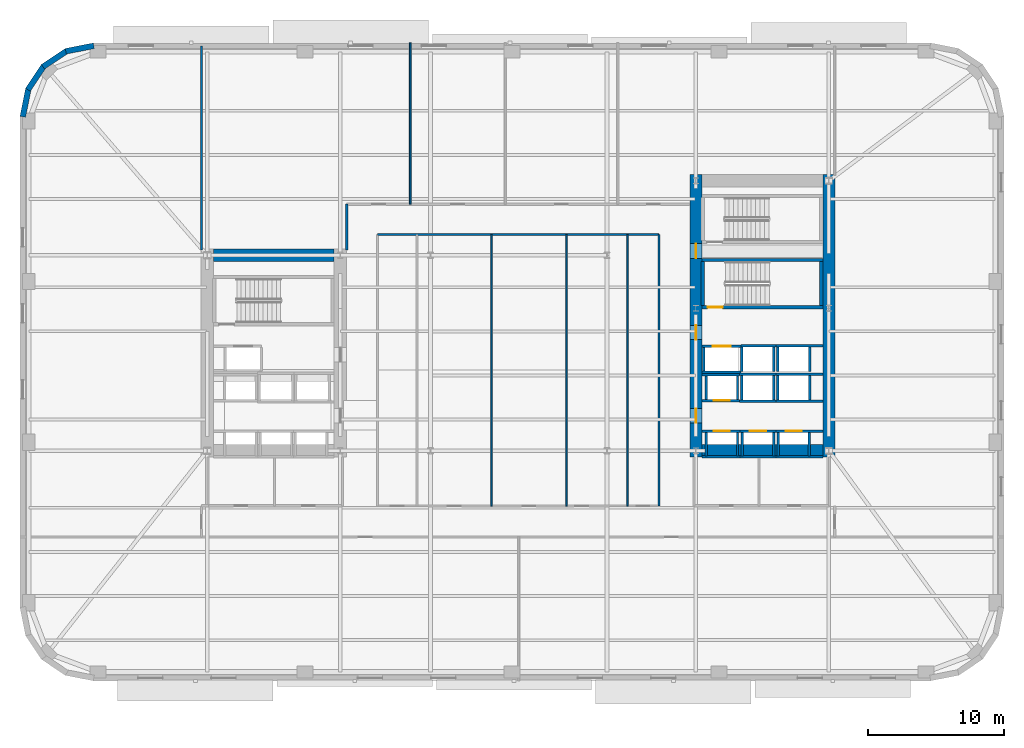
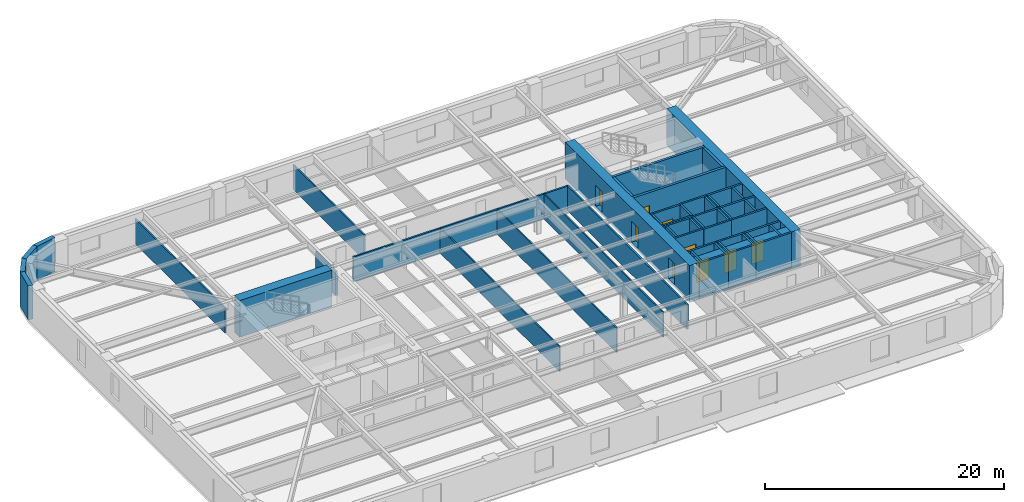
# One storey, part 6 of 14: 53 walls, 9 doors, 9 openings.
"""IFC4 building model written with IfcOpenShell, lengths in metres."""

from ifc_helpers import new_model, si_unit, direction, frame, frame_2d, origin, place, context, subcontext, project, spatial, rectangle, extrude, material, layer, layer_set, type_object, element, fill, save


model = new_model("IFC4")

# Units and contexts
model_context = context("Model", 3, precision=1e-05, world=origin(), true_north=direction((0.0, 1.0)))
body_context = subcontext(model_context, "Body", "Model", "MODEL_VIEW")
ifc_project = project(units=[si_unit("LENGTHUNIT", "METRE"), si_unit("AREAUNIT", "SQUARE_METRE"), si_unit("VOLUMEUNIT", "CUBIC_METRE"), si_unit("PLANEANGLEUNIT", "RADIAN"), si_unit("MASSUNIT", "GRAM", prefix="KILO")], contexts=[model_context])

# Site, building, storey
site_placement = place(None, origin())
site = spatial("IfcSite", under=ifc_project, at=site_placement, CompositionType="ELEMENT")
building_placement = place(site_placement, origin())
building = spatial("IfcBuilding", under=site, at=building_placement, Name="Kolvaren Arena Tower", CompositionType="ELEMENT")
storey_placement = place(building_placement, frame((0.0, 0.0, 75.75)))
storey = spatial("IfcBuildingStorey", under=building, at=storey_placement, Name="L16", CompositionType="ELEMENT", Elevation=75.75)

# Walls
ifc_material_1 = material(Name="Gypsum board acoustic assembly", Category="gypsum")
ifc_layer_1 = layer(ifc_material_1, 0.159912109375)
ifc_layer_set_1 = layer_set([ifc_layer_1], Name="Gypsum board acoustic assembly")
wall_type_1 = type_object("IfcWallType", Name="CORR-160", PredefinedType="PARTITIONING", material=ifc_layer_set_1)
wall_1_placement = place(storey_placement, frame((24.820068359375, 34.25, 0.0), z_axis=(0.0, 0.0, 1.0), x_axis=(0.0, 1.0, 0.0)))
element("IfcWall", 1, at=wall_1_placement, inside=storey, type_object=wall_type_1, Name="Interior Partition Wall (L16)", PredefinedType="PARTITIONING", context=body_context, shape_type="SweptSolid", body=[
    extrude(rectangle(XDim=3.3701171875, YDim=0.159912109375, at=frame_2d((1.68505859375, 0.0))), origin(), (0.0, 0.0, 1.0), 2.5400390625),
])
wall_2_placement = place(storey_placement, frame((27.080078125, 35.3798828125, 0.0), z_axis=(0.0, 0.0, 1.0), x_axis=(1.0, 0.0, 0.0)))
element("IfcWall", 2, at=wall_2_placement, inside=storey, type_object=wall_type_1, Name="Interior Partition Wall (L16)", PredefinedType="PARTITIONING", context=body_context, shape_type="SweptSolid", body=[
    extrude(rectangle(XDim=20.739990234375, YDim=0.159912109375, at=frame_2d((10.3701171875, 0.0))), origin(), (0.0, 0.0, 1.0), 2.5400390625),
])
wall_3_placement = place(storey_placement, frame((47.820068359375, 15.3798828125, 0.0), z_axis=(0.0, 0.0, 1.0), x_axis=(0.0, 1.0, 0.0)))
element("IfcWall", 3, at=wall_3_placement, inside=storey, type_object=wall_type_1, Name="Interior Partition Wall (L16)", PredefinedType="PARTITIONING", context=body_context, shape_type="SweptSolid", body=[
    extrude(rectangle(XDim=20.0, YDim=0.159912109375, at=frame_2d((10.0, 0.0))), origin(), (0.0, 0.0, 1.0), 2.5400390625),
])
ifc_material_2 = material(Name="Concrete 80 MPa", Category="concrete")
ifc_layer_2 = layer(ifc_material_2, 0.89990234375)
ifc_layer_set_2 = layer_set([ifc_layer_2], Name="Concrete 80 MPa")
wall_type_2 = type_object("IfcWallType", Name="CWALL-900", PredefinedType="SHEAR", material=ifc_layer_set_2)
wall_4_placement = place(storey_placement, frame((15.0, 33.85009765625, -0.27001953125), z_axis=(0.0, 0.0, 1.0), x_axis=(1.0, 0.0, 0.0)))
element("IfcWall", 4, at=wall_4_placement, inside=storey, type_object=wall_type_2, Name="Core Shear Wall WC-NORTH (L16)", PredefinedType="SHEAR", context=body_context, shape_type="SweptSolid", body=[
    extrude(rectangle(XDim=8.89990234375, YDim=0.89990234375, at=frame_2d((4.449951171875, 0.0))), origin(), (0.0, 0.0, 1.0), 3.75),
])

# Wall, openings, doors
wall_5_placement = place(storey_placement, frame((50.550048828125, 19.0, -0.27001953125), z_axis=(0.0, 0.0, 1.0), x_axis=(0.0, 1.0, 0.0)))
wall_5 = element("IfcWall", 5, at=wall_5_placement, inside=storey, type_object=wall_type_2, Name="Core Shear Wall EC-WEST (L16)", PredefinedType="SHEAR", context=body_context, shape_type="SweptSolid", body=[
    extrude(rectangle(XDim=20.800048828125, YDim=0.89990234375, at=frame_2d((10.39990234375, 0.0))), origin(), (0.0, 0.0, 1.0), 3.75),
])
opening_1_placement = place(wall_5_placement, frame((2.5, 0.0, 0.27001953125)))
opening_1 = element("IfcOpeningElement", 6, at=opening_1_placement, cuts=wall_5, Name="Opening D04", PredefinedType="OPENING", context=body_context, shape_type="SweptSolid", body=[
    extrude(rectangle(XDim=1.050048828125, YDim=2.14990234375, at=frame_2d((0.52490234375, 1.074951171875))), frame((0.0, 0.4599609375, 0.0), z_axis=(0.0, -1.0, 0.0), x_axis=(1.0, 0.0, 0.0)), (0.0, 0.0, 1.0), 0.919921875),
])
opening_2_placement = place(wall_5_placement, frame((8.64990234375, 0.0, 0.27001953125)))
opening_2 = element("IfcOpeningElement", 7, at=opening_2_placement, cuts=wall_5, Name="Opening D04", PredefinedType="OPENING", context=body_context, shape_type="SweptSolid", body=[
    extrude(rectangle(XDim=1.050048828125, YDim=2.14990234375, at=frame_2d((0.52490234375, 1.074951171875))), frame((0.0, 0.4599609375, 0.0), z_axis=(0.0, -1.0, 0.0), x_axis=(1.0, 0.0, 0.0)), (0.0, 0.0, 1.0), 0.919921875),
])
opening_3_placement = place(wall_5_placement, frame((14.6201171875, 0.0, 0.27001953125)))
opening_3 = element("IfcOpeningElement", 8, at=opening_3_placement, cuts=wall_5, Name="Opening D03", PredefinedType="OPENING", context=body_context, shape_type="SweptSolid", body=[
    extrude(rectangle(XDim=1.10009765625, YDim=2.14990234375, at=frame_2d((0.550048828125, 1.074951171875))), frame((0.0, 0.4599609375, 0.0), z_axis=(0.0, -1.0, 0.0), x_axis=(1.0, 0.0, 0.0)), (0.0, 0.0, 1.0), 0.919921875),
])
ifc_material_3 = material(Name="Fire-rated steel lobby door", Category="steel")
door_type_1 = type_object("IfcDoorType", Name="DOOR-FF-105", OperationType="NOTDEFINED", PredefinedType="DOOR", material=ifc_material_3)
door_1_placement = place(opening_1_placement, origin())
door_1 = element("IfcDoor", 9, at=door_1_placement, inside=storey, type_object=door_type_1, Name="East Lift Lobby Fire Door (L16)", OperationType="SINGLE_SWING_RIGHT", OverallHeight=2.14990234375, OverallWidth=1.050048828125, PredefinedType="DOOR", context=body_context, shape_type="SweptSolid", body=[
    extrude(rectangle(XDim=1.050048828125, YDim=2.14990234375, at=frame_2d((0.52490234375, 1.074951171875))), frame((0.0, 0.02490234375, 0.0), z_axis=(0.0, -1.0, 0.0), x_axis=(1.0, 0.0, 0.0)), (0.0, 0.0, 1.0), 0.050048828125),
])
fill(opening_1, door_1)
door_2_placement = place(opening_2_placement, origin())
door_2 = element("IfcDoor", 10, at=door_2_placement, inside=storey, type_object=door_type_1, Name="East Firefighter Vestibule Door (L16)", OperationType="SINGLE_SWING_LEFT", OverallHeight=2.14990234375, OverallWidth=1.050048828125, PredefinedType="DOOR", context=body_context, shape_type="SweptSolid", body=[
    extrude(rectangle(XDim=1.050048828125, YDim=2.14990234375, at=frame_2d((0.52490234375, 1.074951171875))), frame((0.0, 0.02490234375, 0.0), z_axis=(0.0, -1.0, 0.0), x_axis=(1.0, 0.0, 0.0)), (0.0, 0.0, 1.0), 0.050048828125),
])
fill(opening_2, door_2)
ifc_material_4 = material(Name="Fire-rated steel exit stair door", Category="steel")
door_type_2 = type_object("IfcDoorType", Name="DOOR-ST-110", OperationType="NOTDEFINED", PredefinedType="DOOR", material=ifc_material_4)
door_3_placement = place(opening_3_placement, origin())
door_3 = element("IfcDoor", 11, at=door_3_placement, inside=storey, type_object=door_type_2, Name="Stair ST-E2 Vestibule Fire Door (L16)", OperationType="SINGLE_SWING_LEFT", OverallHeight=2.14990234375, OverallWidth=1.10009765625, PredefinedType="DOOR", context=body_context, shape_type="SweptSolid", body=[
    extrude(rectangle(XDim=1.10009765625, YDim=2.14990234375, at=frame_2d((0.550048828125, 1.074951171875))), frame((0.0, 0.02490234375, 0.0), z_axis=(0.0, -1.0, 0.0), x_axis=(1.0, 0.0, 0.0)), (0.0, 0.0, 1.0), 0.050048828125),
])
fill(opening_3, door_3)

# Walls
wall_6_placement = place(storey_placement, frame((60.35009765625, 19.0, -0.27001953125), z_axis=(0.0, 0.0, 1.0), x_axis=(0.0, 1.0, 0.0)))
element("IfcWall", 12, at=wall_6_placement, inside=storey, type_object=wall_type_2, Name="Core Shear Wall EC-EAST (L16)", PredefinedType="SHEAR", context=body_context, shape_type="SweptSolid", body=[
    extrude(rectangle(XDim=20.800048828125, YDim=0.89990234375, at=frame_2d((10.39990234375, 0.0))), origin(), (0.0, 0.0, 1.0), 3.75),
])
wall_7_placement = place(storey_placement, frame((51.0, 19.449951171875, -0.27001953125), z_axis=(0.0, 0.0, 1.0), x_axis=(1.0, 0.0, 0.0)))
element("IfcWall", 13, at=wall_7_placement, inside=storey, type_object=wall_type_2, Name="Core Shear Wall EC-SOUTH (L16)", PredefinedType="SHEAR", context=body_context, shape_type="SweptSolid", body=[
    extrude(rectangle(XDim=8.89990234375, YDim=0.89990234375, at=frame_2d((4.449951171875, 0.0))), origin(), (0.0, 0.0, 1.0), 3.75),
])
ifc_material_5 = material(Name="Precast concrete C50/60", Category="concrete")
ifc_layer_3 = layer(ifc_material_5, 0.419921875)
ifc_layer_set_3 = layer_set([ifc_layer_3], Name="Precast concrete C50/60")
wall_type_3 = type_object("IfcWallType", Name="EXT-PIER1", PredefinedType="SOLIDWALL", material=ifc_layer_set_3)
for number, where, z_axis, x_axis, name in (
    (14, (4.12451171875, 48.8828125, 0.0), (0.0, 0.0, 1.0), (0.9807762837, 0.195135546048, 0.0), "Exterior Precast Masonry-Frame Wall (L16)"),
    (15, (2.4482421875, 47.743896484375, 0.0), (0.0, 0.0, 1.0), (0.831515102434, 0.555502146192, 0.0), "Exterior Precast Masonry-Frame Wall (L16)"),
    (16, (1.335693359375, 46.0498046875, 0.0), (0.0, 0.0, 1.0), (0.555502146192, 0.831515102434, 0.0), "Exterior Precast Masonry-Frame Wall (L16)"),
    (17, (0.9560546875, 44.05908203125, 0.0), (0.0, 0.0, 1.0), (0.195135546048, 0.9807762837, 0.0), "Exterior Precast Masonry-Frame Wall (L16)"),
):
    element("IfcWall", number, at=place(storey_placement, frame(where, z_axis=z_axis, x_axis=x_axis)), inside=storey, type_object=wall_type_3, Name=name, PredefinedType="SOLIDWALL", context=body_context, shape_type="SweptSolid", body=[
        extrude(rectangle(XDim=2.10693359375, YDim=0.419921875, at=frame_2d((1.053466796875, 0.0))), origin(), (0.0, 0.0, 1.0), 3.47998046875),
    ])
ifc_material_6 = material(Name="Gypsum board partition assembly", Category="gypsum")
ifc_layer_4 = layer(ifc_material_6, 0.114990234375)
ifc_layer_set_4 = layer_set([ifc_layer_4], Name="Gypsum board partition assembly")
wall_type_4 = type_object("IfcWallType", Name="PART-115", PredefinedType="PARTITIONING", material=ifc_layer_set_4)
for number, where, z_axis, x_axis, name in (
    (18, (35.5, 15.3798828125, 0.0), (0.0, 0.0, 1.0), (0.0, 1.0, 0.0), "Interior Partition Wall (L16)"),
    (19, (41.0, 15.3798828125, 0.0), (0.0, 0.0, 1.0), (0.0, 1.0, 0.0), "Interior Partition Wall (L16)"),
    (20, (45.5, 15.3798828125, 0.0), (0.0, 0.0, 1.0), (0.0, 1.0, 0.0), "Interior Partition Wall (L16)"),
):
    element("IfcWall", number, at=place(storey_placement, frame(where, z_axis=z_axis, x_axis=x_axis)), inside=storey, type_object=wall_type_4, Name=name, PredefinedType="PARTITIONING", context=body_context, shape_type="SweptSolid", body=[
        extrude(rectangle(XDim=20.0, YDim=0.114990234375, at=frame_2d((10.0, 0.0))), origin(), (0.0, 0.0, 1.0), 2.5400390625),
    ])
ifc_layer_5 = layer(ifc_material_6, 0.135009765625)
ifc_layer_set_5 = layer_set([ifc_layer_5], Name="Gypsum board partition assembly")
wall_type_5 = type_object("IfcWallType", Name="PART-135", PredefinedType="PARTITIONING", material=ifc_layer_set_5)
wall_8_placement = place(storey_placement, frame((29.5, 37.6201171875, 0.0), z_axis=(0.0, 0.0, 1.0), x_axis=(0.0, 1.0, 0.0)))
element("IfcWall", 21, at=wall_8_placement, inside=storey, type_object=wall_type_5, Name="Interior Partition Wall (L16)", PredefinedType="PARTITIONING", context=body_context, shape_type="SweptSolid", body=[
    extrude(rectangle(XDim=11.8798828125, YDim=0.135009765625, at=frame_2d((5.93994140625, 0.0))), origin(), (0.0, 0.0, 1.0), 2.5400390625),
])
wall_9_placement = place(storey_placement, frame((14.1201171875, 34.25, 0.0), z_axis=(0.0, 0.0, 1.0), x_axis=(0.0, 1.0, 0.0)))
element("IfcWall", 22, at=wall_9_placement, inside=storey, type_object=wall_type_5, Name="Interior Partition Wall (L16)", PredefinedType="PARTITIONING", context=body_context, shape_type="SweptSolid", body=[
    extrude(rectangle(XDim=15.010009765625, YDim=0.135009765625, at=frame_2d((7.5048828125, 0.0))), origin(), (0.0, 0.0, 1.0), 2.5400390625),
])

# Wall, opening, door
ifc_material_7 = material(Name="Concrete 45 MPa", Category="concrete")
ifc_layer_6 = layer(ifc_material_7, 0.25)
ifc_layer_set_6 = layer_set([ifc_layer_6], Name="Concrete 45 MPa")
wall_type_6 = type_object("IfcWallType", Name="SHAFT-250", PredefinedType="SOLIDWALL", material=ifc_layer_set_6)
wall_10_placement = place(storey_placement, frame((59.89990234375, 30.030029296875, 0.0), z_axis=(0.0, 0.0, 1.0), x_axis=(-1.0, 0.0, 0.0)))
wall_10 = element("IfcWall", 23, at=wall_10_placement, inside=storey, type_object=wall_type_6, Name="Core Shaft Wall (L16)", PredefinedType="SOLIDWALL", context=body_context, shape_type="SweptSolid", body=[
    extrude(rectangle(XDim=8.89990234375, YDim=0.239990234375, at=frame_2d((4.449951171875, 0.0))), origin(), (0.0, 0.0, 1.0), 3.47998046875),
])
opening_4_placement = place(wall_10_placement, frame((7.3798828125, 0.0, 0.0)))
opening_4 = element("IfcOpeningElement", 24, at=opening_4_placement, cuts=wall_10, Name="Opening D03", PredefinedType="OPENING", context=body_context, shape_type="SweptSolid", body=[
    extrude(rectangle(XDim=1.10009765625, YDim=2.14990234375, at=frame_2d((0.550048828125, 1.074951171875))), frame((0.0, 0.1298828125, 0.0), z_axis=(0.0, -1.0, 0.0), x_axis=(1.0, 0.0, 0.0)), (0.0, 0.0, 1.0), 0.260009765625),
])
door_4_placement = place(opening_4_placement, origin())
door_4 = element("IfcDoor", 25, at=door_4_placement, inside=storey, type_object=door_type_2, Name="Stair ST-E1 Fire Door (L16)", OperationType="SINGLE_SWING_LEFT", OverallHeight=2.14990234375, OverallWidth=1.10009765625, PredefinedType="DOOR", context=body_context, shape_type="SweptSolid", body=[
    extrude(rectangle(XDim=1.10009765625, YDim=2.14990234375, at=frame_2d((0.550048828125, 1.074951171875))), frame((0.0, 0.02490234375, 0.0), z_axis=(0.0, -1.0, 0.0), x_axis=(1.0, 0.0, 0.0)), (0.0, 0.0, 1.0), 0.050048828125),
])
fill(opening_4, door_4)

# Walls
wall_11_placement = place(storey_placement, frame((51.0, 33.5, 0.0), z_axis=(0.0, 0.0, 1.0), x_axis=(1.0, 0.0, 0.0)))
element("IfcWall", 26, at=wall_11_placement, inside=storey, type_object=wall_type_6, Name="Core Shaft Wall (L16)", PredefinedType="SOLIDWALL", context=body_context, shape_type="SweptSolid", body=[
    extrude(rectangle(XDim=8.89990234375, YDim=0.239990234375, at=frame_2d((4.449951171875, 0.0))), origin(), (0.0, 0.0, 1.0), 3.47998046875),
])
for number, where, z_axis, x_axis, name in (
    (27, (51.06005859375, 30.14990234375, 0.0), (0.0, 0.0, 1.0), (0.0, 1.0, 0.0), "Core Shaft Wall (L16)"),
    (28, (59.780029296875, 30.14990234375, 0.0), (0.0, 0.0, 1.0), (0.0, 1.0, 0.0), "Core Shaft Wall (L16)"),
):
    element("IfcWall", number, at=place(storey_placement, frame(where, z_axis=z_axis, x_axis=x_axis)), inside=storey, type_object=wall_type_6, Name=name, PredefinedType="SOLIDWALL", context=body_context, shape_type="SweptSolid", body=[
        extrude(rectangle(XDim=3.22998046875, YDim=0.239990234375, at=frame_2d((1.614990234375, 0.0))), origin(), (0.0, 0.0, 1.0), 3.47998046875),
    ])

# Wall, opening, door
wall_12_placement = place(storey_placement, frame((51.0, 20.905029296875, 0.0), z_axis=(0.0, 0.0, 1.0), x_axis=(1.0, 0.0, 0.0)))
wall_12 = element("IfcWall", 29, at=wall_12_placement, inside=storey, type_object=wall_type_6, Name="Core Shaft Wall (L16)", PredefinedType="SOLIDWALL", context=body_context, shape_type="SweptSolid", body=[
    extrude(rectangle(XDim=2.7900390625, YDim=0.179931640625, at=frame_2d((1.39501953125, 0.0))), origin(), (0.0, 0.0, 1.0), 3.47998046875),
])
opening_5_placement = place(wall_12_placement, frame((0.860107421875, 0.0, 0.0)))
opening_5 = element("IfcOpeningElement", 30, at=opening_5_placement, cuts=wall_12, Name="Opening LD1", PredefinedType="OPENING", context=body_context, shape_type="SweptSolid", body=[
    extrude(rectangle(XDim=1.199951171875, YDim=2.199951171875, at=frame_2d((0.60009765625, 1.10009765625))), frame((0.0, 0.099853515625, 0.0), z_axis=(0.0, -1.0, 0.0), x_axis=(1.0, 0.0, 0.0)), (0.0, 0.0, 1.0), 0.199951171875),
])
ifc_material_8 = material(Name="Stainless steel passenger lift landing door", Category="steel")
door_type_3 = type_object("IfcDoorType", Name="DOOR-LD-120", OperationType="DOUBLE_DOOR_SLIDING", PredefinedType="DOOR", material=ifc_material_8)
door_5_placement = place(opening_5_placement, origin())
door_5 = element("IfcDoor", 31, at=door_5_placement, inside=storey, type_object=door_type_3, Name="Lift EL-LR1 Landing Door (L16)", OperationType="DOUBLE_DOOR_SLIDING", OverallHeight=2.199951171875, OverallWidth=1.199951171875, PredefinedType="DOOR", context=body_context, shape_type="SweptSolid", body=[
    extrude(rectangle(XDim=1.199951171875, YDim=2.199951171875, at=frame_2d((0.60009765625, 1.10009765625))), frame((0.0, 0.02490234375, 0.0), z_axis=(0.0, -1.0, 0.0), x_axis=(1.0, 0.0, 0.0)), (0.0, 0.0, 1.0), 0.050048828125),
])
fill(opening_5, door_5)

# Walls
wall_13_placement = place(storey_placement, frame((51.0, 18.9951171875, 0.0), z_axis=(0.0, 0.0, 1.0), x_axis=(1.0, 0.0, 0.0)))
element("IfcWall", 32, at=wall_13_placement, inside=storey, type_object=wall_type_6, Name="Core Shaft Wall (L16)", PredefinedType="SOLIDWALL", context=body_context, shape_type="SweptSolid", body=[
    extrude(rectangle(XDim=2.7900390625, YDim=0.179931640625, at=frame_2d((1.39501953125, 0.0))), origin(), (0.0, 0.0, 1.0), 3.47998046875),
])
for number, where, z_axis, x_axis, name in (
    (33, (51.304931640625, 19.0849609375, 0.0), (0.0, 0.0, 1.0), (0.0, 1.0, 0.0), "Core Shaft Wall (L16)"),
    (34, (53.614990234375, 19.0849609375, 0.0), (0.0, 0.0, 1.0), (0.0, 1.0, 0.0), "Core Shaft Wall (L16)"),
):
    element("IfcWall", number, at=place(storey_placement, frame(where, z_axis=z_axis, x_axis=x_axis)), inside=storey, type_object=wall_type_6, Name=name, PredefinedType="SOLIDWALL", context=body_context, shape_type="SweptSolid", body=[
        extrude(rectangle(XDim=1.72998046875, YDim=0.179931640625, at=frame_2d((0.864990234375, 0.0))), origin(), (0.0, 0.0, 1.0), 3.47998046875),
    ])

# Wall, opening, door
wall_14_placement = place(storey_placement, frame((53.7900390625, 20.905029296875, 0.0), z_axis=(0.0, 0.0, 1.0), x_axis=(1.0, 0.0, 0.0)))
wall_14 = element("IfcWall", 35, at=wall_14_placement, inside=storey, type_object=wall_type_6, Name="Core Shaft Wall (L16)", PredefinedType="SOLIDWALL", context=body_context, shape_type="SweptSolid", body=[
    extrude(rectangle(XDim=2.64990234375, YDim=0.179931640625, at=frame_2d((1.324951171875, 0.0))), origin(), (0.0, 0.0, 1.0), 3.47998046875),
])
opening_6_placement = place(wall_14_placement, frame((0.72998046875, 0.0, 0.0)))
opening_6 = element("IfcOpeningElement", 36, at=opening_6_placement, cuts=wall_14, Name="Opening LD1", PredefinedType="OPENING", context=body_context, shape_type="SweptSolid", body=[
    extrude(rectangle(XDim=1.199951171875, YDim=2.199951171875, at=frame_2d((0.60009765625, 1.10009765625))), frame((0.0, 0.099853515625, 0.0), z_axis=(0.0, -1.0, 0.0), x_axis=(1.0, 0.0, 0.0)), (0.0, 0.0, 1.0), 0.199951171875),
])
door_6_placement = place(opening_6_placement, origin())
door_6 = element("IfcDoor", 37, at=door_6_placement, inside=storey, type_object=door_type_3, Name="Lift EL-LR2 Landing Door (L16)", OperationType="DOUBLE_DOOR_SLIDING", OverallHeight=2.199951171875, OverallWidth=1.199951171875, PredefinedType="DOOR", context=body_context, shape_type="SweptSolid", body=[
    extrude(rectangle(XDim=1.199951171875, YDim=2.199951171875, at=frame_2d((0.60009765625, 1.10009765625))), frame((0.0, 0.02490234375, 0.0), z_axis=(0.0, -1.0, 0.0), x_axis=(1.0, 0.0, 0.0)), (0.0, 0.0, 1.0), 0.050048828125),
])
fill(opening_6, door_6)

# Walls
wall_15_placement = place(storey_placement, frame((53.7900390625, 18.9951171875, 0.0), z_axis=(0.0, 0.0, 1.0), x_axis=(1.0, 0.0, 0.0)))
element("IfcWall", 38, at=wall_15_placement, inside=storey, type_object=wall_type_6, Name="Core Shaft Wall (L16)", PredefinedType="SOLIDWALL", context=body_context, shape_type="SweptSolid", body=[
    extrude(rectangle(XDim=2.64990234375, YDim=0.179931640625, at=frame_2d((1.324951171875, 0.0))), origin(), (0.0, 0.0, 1.0), 3.47998046875),
])
for number, where, z_axis, x_axis, name in (
    (39, (53.965087890625, 19.0849609375, 0.0), (0.0, 0.0, 1.0), (0.0, 1.0, 0.0), "Core Shaft Wall (L16)"),
    (40, (56.27490234375, 19.0849609375, 0.0), (0.0, 0.0, 1.0), (0.0, 1.0, 0.0), "Core Shaft Wall (L16)"),
):
    element("IfcWall", number, at=place(storey_placement, frame(where, z_axis=z_axis, x_axis=x_axis)), inside=storey, type_object=wall_type_6, Name=name, PredefinedType="SOLIDWALL", context=body_context, shape_type="SweptSolid", body=[
        extrude(rectangle(XDim=1.72998046875, YDim=0.179931640625, at=frame_2d((0.864990234375, 0.0))), origin(), (0.0, 0.0, 1.0), 3.47998046875),
    ])

# Wall, opening, door
wall_16_placement = place(storey_placement, frame((56.43994140625, 20.905029296875, 0.0), z_axis=(0.0, 0.0, 1.0), x_axis=(1.0, 0.0, 0.0)))
wall_16 = element("IfcWall", 41, at=wall_16_placement, inside=storey, type_object=wall_type_6, Name="Core Shaft Wall (L16)", PredefinedType="SOLIDWALL", context=body_context, shape_type="SweptSolid", body=[
    extrude(rectangle(XDim=3.4599609375, YDim=0.179931640625, at=frame_2d((1.72998046875, 0.0))), origin(), (0.0, 0.0, 1.0), 3.47998046875),
])
opening_7_placement = place(wall_16_placement, frame((0.719970703125, 0.0, 0.0)))
opening_7 = element("IfcOpeningElement", 42, at=opening_7_placement, cuts=wall_16, Name="Opening LD1", PredefinedType="OPENING", context=body_context, shape_type="SweptSolid", body=[
    extrude(rectangle(XDim=1.199951171875, YDim=2.199951171875, at=frame_2d((0.60009765625, 1.10009765625))), frame((0.0, 0.099853515625, 0.0), z_axis=(0.0, -1.0, 0.0), x_axis=(1.0, 0.0, 0.0)), (0.0, 0.0, 1.0), 0.199951171875),
])
door_7_placement = place(opening_7_placement, origin())
door_7 = element("IfcDoor", 43, at=door_7_placement, inside=storey, type_object=door_type_3, Name="Lift EL-LR3 Landing Door (L16)", OperationType="DOUBLE_DOOR_SLIDING", OverallHeight=2.199951171875, OverallWidth=1.199951171875, PredefinedType="DOOR", context=body_context, shape_type="SweptSolid", body=[
    extrude(rectangle(XDim=1.199951171875, YDim=2.199951171875, at=frame_2d((0.60009765625, 1.10009765625))), frame((0.0, 0.02490234375, 0.0), z_axis=(0.0, -1.0, 0.0), x_axis=(1.0, 0.0, 0.0)), (0.0, 0.0, 1.0), 0.050048828125),
])
fill(opening_7, door_7)

# Walls
wall_17_placement = place(storey_placement, frame((56.43994140625, 18.9951171875, 0.0), z_axis=(0.0, 0.0, 1.0), x_axis=(1.0, 0.0, 0.0)))
element("IfcWall", 44, at=wall_17_placement, inside=storey, type_object=wall_type_6, Name="Core Shaft Wall (L16)", PredefinedType="SOLIDWALL", context=body_context, shape_type="SweptSolid", body=[
    extrude(rectangle(XDim=3.4599609375, YDim=0.179931640625, at=frame_2d((1.72998046875, 0.0))), origin(), (0.0, 0.0, 1.0), 3.47998046875),
])
for number, where, z_axis, x_axis, name in (
    (45, (56.60498046875, 19.0849609375, 0.0), (0.0, 0.0, 1.0), (0.0, 1.0, 0.0), "Core Shaft Wall (L16)"),
    (46, (58.9150390625, 19.0849609375, 0.0), (0.0, 0.0, 1.0), (0.0, 1.0, 0.0), "Core Shaft Wall (L16)"),
):
    element("IfcWall", number, at=place(storey_placement, frame(where, z_axis=z_axis, x_axis=x_axis)), inside=storey, type_object=wall_type_6, Name=name, PredefinedType="SOLIDWALL", context=body_context, shape_type="SweptSolid", body=[
        extrude(rectangle(XDim=1.72998046875, YDim=0.179931640625, at=frame_2d((0.864990234375, 0.0))), origin(), (0.0, 0.0, 1.0), 3.47998046875),
    ])
wall_18_placement = place(storey_placement, frame((51.0, 25.054931640625, 0.0), z_axis=(0.0, 0.0, 1.0), x_axis=(1.0, 0.0, 0.0)))
element("IfcWall", 47, at=wall_18_placement, inside=storey, type_object=wall_type_6, Name="Core Shaft Wall (L16)", PredefinedType="SOLIDWALL", context=body_context, shape_type="SweptSolid", body=[
    extrude(rectangle(XDim=2.777587890625, YDim=0.179931640625, at=frame_2d((1.388671875, 0.0))), origin(), (0.0, 0.0, 1.0), 3.47998046875),
])

# Wall, opening, door
wall_19_placement = place(storey_placement, frame((51.0, 23.14501953125, 0.0), z_axis=(0.0, 0.0, 1.0), x_axis=(1.0, 0.0, 0.0)))
wall_19 = element("IfcWall", 48, at=wall_19_placement, inside=storey, type_object=wall_type_6, Name="Core Shaft Wall (L16)", PredefinedType="SOLIDWALL", context=body_context, shape_type="SweptSolid", body=[
    extrude(rectangle(XDim=2.777587890625, YDim=0.179931640625, at=frame_2d((1.388671875, 0.0))), origin(), (0.0, 0.0, 1.0), 3.47998046875),
])
opening_8_placement = place(wall_19_placement, frame((0.860107421875, 0.0, 0.0)))
opening_8 = element("IfcOpeningElement", 49, at=opening_8_placement, cuts=wall_19, Name="Opening LD1", PredefinedType="OPENING", context=body_context, shape_type="SweptSolid", body=[
    extrude(rectangle(XDim=1.199951171875, YDim=2.199951171875, at=frame_2d((0.60009765625, 1.10009765625))), frame((0.0, 0.099853515625, 0.0), z_axis=(0.0, -1.0, 0.0), x_axis=(1.0, 0.0, 0.0)), (0.0, 0.0, 1.0), 0.199951171875),
])
door_8_placement = place(opening_8_placement, origin())
door_8 = element("IfcDoor", 50, at=door_8_placement, inside=storey, type_object=door_type_3, Name="Lift EL-LR4 Landing Door (L16)", OperationType="DOUBLE_DOOR_SLIDING", OverallHeight=2.199951171875, OverallWidth=1.199951171875, PredefinedType="DOOR", context=body_context, shape_type="SweptSolid", body=[
    extrude(rectangle(XDim=1.199951171875, YDim=2.199951171875, at=frame_2d((0.60009765625, 1.10009765625))), frame((0.0, 0.02490234375, 0.0), z_axis=(0.0, -1.0, 0.0), x_axis=(1.0, 0.0, 0.0)), (0.0, 0.0, 1.0), 0.050048828125),
])
fill(opening_8, door_8)

# Walls
for number, where, z_axis, x_axis, name in (
    (51, (51.304931640625, 23.235107421875, 0.0), (0.0, 0.0, 1.0), (0.0, 1.0, 0.0), "Core Shaft Wall (L16)"),
    (52, (53.614990234375, 23.235107421875, 0.0), (0.0, 0.0, 1.0), (0.0, 1.0, 0.0), "Core Shaft Wall (L16)"),
):
    element("IfcWall", number, at=place(storey_placement, frame(where, z_axis=z_axis, x_axis=x_axis)), inside=storey, type_object=wall_type_6, Name=name, PredefinedType="SOLIDWALL", context=body_context, shape_type="SweptSolid", body=[
        extrude(rectangle(XDim=1.72998046875, YDim=0.179931640625, at=frame_2d((0.864990234375, 0.0))), origin(), (0.0, 0.0, 1.0), 3.47998046875),
    ])
for number, where, z_axis, x_axis, name in (
    (53, (53.777587890625, 25.10498046875, 0.0), (0.0, 0.0, 1.0), (1.0, 0.0, 0.0), "Core Shaft Wall (L16)"),
    (54, (53.777587890625, 23.094970703125, 0.0), (0.0, 0.0, 1.0), (1.0, 0.0, 0.0), "Core Shaft Wall (L16)"),
):
    element("IfcWall", number, at=place(storey_placement, frame(where, z_axis=z_axis, x_axis=x_axis)), inside=storey, type_object=wall_type_6, Name=name, PredefinedType="SOLIDWALL", context=body_context, shape_type="SweptSolid", body=[
        extrude(rectangle(XDim=2.662353515625, YDim=0.179931640625, at=frame_2d((1.3310546875, 0.0))), origin(), (0.0, 0.0, 1.0), 3.47998046875),
    ])
for number, where, z_axis, x_axis, name in (
    (55, (53.93994140625, 23.18505859375, 0.0), (0.0, 0.0, 1.0), (0.0, 1.0, 0.0), "Core Shaft Wall (L16)"),
    (56, (56.300048828125, 23.18505859375, 0.0), (0.0, 0.0, 1.0), (0.0, 1.0, 0.0), "Core Shaft Wall (L16)"),
):
    element("IfcWall", number, at=place(storey_placement, frame(where, z_axis=z_axis, x_axis=x_axis)), inside=storey, type_object=wall_type_6, Name=name, PredefinedType="SOLIDWALL", context=body_context, shape_type="SweptSolid", body=[
        extrude(rectangle(XDim=1.829833984375, YDim=0.179931640625, at=frame_2d((0.9150390625, 0.0))), origin(), (0.0, 0.0, 1.0), 3.47998046875),
    ])
for number, where, z_axis, x_axis, name in (
    (57, (56.43994140625, 25.10498046875, 0.0), (0.0, 0.0, 1.0), (1.0, 0.0, 0.0), "Core Shaft Wall (L16)"),
    (58, (56.43994140625, 23.094970703125, 0.0), (0.0, 0.0, 1.0), (1.0, 0.0, 0.0), "Core Shaft Wall (L16)"),
):
    element("IfcWall", number, at=place(storey_placement, frame(where, z_axis=z_axis, x_axis=x_axis)), inside=storey, type_object=wall_type_6, Name=name, PredefinedType="SOLIDWALL", context=body_context, shape_type="SweptSolid", body=[
        extrude(rectangle(XDim=3.4599609375, YDim=0.179931640625, at=frame_2d((1.72998046875, 0.0))), origin(), (0.0, 0.0, 1.0), 3.47998046875),
    ])
for number, where, z_axis, x_axis, name in (
    (59, (56.580078125, 23.18505859375, 0.0), (0.0, 0.0, 1.0), (0.0, 1.0, 0.0), "Core Shaft Wall (L16)"),
    (60, (58.93994140625, 23.18505859375, 0.0), (0.0, 0.0, 1.0), (0.0, 1.0, 0.0), "Core Shaft Wall (L16)"),
):
    element("IfcWall", number, at=place(storey_placement, frame(where, z_axis=z_axis, x_axis=x_axis)), inside=storey, type_object=wall_type_6, Name=name, PredefinedType="SOLIDWALL", context=body_context, shape_type="SweptSolid", body=[
        extrude(rectangle(XDim=1.829833984375, YDim=0.179931640625, at=frame_2d((0.9150390625, 0.0))), origin(), (0.0, 0.0, 1.0), 3.47998046875),
    ])
wall_20_placement = place(storey_placement, frame((53.864990234375, 27.205078125, 0.0), z_axis=(0.0, 0.0, 1.0), x_axis=(1.0, 0.0, 0.0)))
element("IfcWall", 61, at=wall_20_placement, inside=storey, type_object=wall_type_6, Name="Core Shaft Wall (L16)", PredefinedType="SOLIDWALL", context=body_context, shape_type="SweptSolid", body=[
    extrude(rectangle(XDim=2.574951171875, YDim=0.179931640625, at=frame_2d((1.28759765625, 0.0))), origin(), (0.0, 0.0, 1.0), 3.47998046875),
])
for number, where, z_axis, x_axis, name in (
    (62, (53.93994140625, 25.284912109375, 0.0), (0.0, 0.0, 1.0), (0.0, 1.0, 0.0), "Core Shaft Wall (L16)"),
    (63, (56.300048828125, 25.284912109375, 0.0), (0.0, 0.0, 1.0), (0.0, 1.0, 0.0), "Core Shaft Wall (L16)"),
):
    element("IfcWall", number, at=place(storey_placement, frame(where, z_axis=z_axis, x_axis=x_axis)), inside=storey, type_object=wall_type_6, Name=name, PredefinedType="SOLIDWALL", context=body_context, shape_type="SweptSolid", body=[
        extrude(rectangle(XDim=1.830078125, YDim=0.179931640625, at=frame_2d((0.9150390625, 0.0))), origin(), (0.0, 0.0, 1.0), 3.47998046875),
    ])
wall_21_placement = place(storey_placement, frame((56.43994140625, 27.205078125, 0.0), z_axis=(0.0, 0.0, 1.0), x_axis=(1.0, 0.0, 0.0)))
element("IfcWall", 64, at=wall_21_placement, inside=storey, type_object=wall_type_6, Name="Core Shaft Wall (L16)", PredefinedType="SOLIDWALL", context=body_context, shape_type="SweptSolid", body=[
    extrude(rectangle(XDim=3.4599609375, YDim=0.179931640625, at=frame_2d((1.72998046875, 0.0))), origin(), (0.0, 0.0, 1.0), 3.47998046875),
])
for number, where, z_axis, x_axis, name in (
    (65, (56.580078125, 25.284912109375, 0.0), (0.0, 0.0, 1.0), (0.0, 1.0, 0.0), "Core Shaft Wall (L16)"),
    (66, (58.93994140625, 25.284912109375, 0.0), (0.0, 0.0, 1.0), (0.0, 1.0, 0.0), "Core Shaft Wall (L16)"),
):
    element("IfcWall", number, at=place(storey_placement, frame(where, z_axis=z_axis, x_axis=x_axis)), inside=storey, type_object=wall_type_6, Name=name, PredefinedType="SOLIDWALL", context=body_context, shape_type="SweptSolid", body=[
        extrude(rectangle(XDim=1.830078125, YDim=0.179931640625, at=frame_2d((0.9150390625, 0.0))), origin(), (0.0, 0.0, 1.0), 3.47998046875),
    ])

# Wall, opening, door
wall_22_placement = place(storey_placement, frame((51.0, 27.155029296875, 0.0), z_axis=(0.0, 0.0, 1.0), x_axis=(1.0, 0.0, 0.0)))
wall_22 = element("IfcWall", 67, at=wall_22_placement, inside=storey, type_object=wall_type_6, Name="Core Shaft Wall (L16)", PredefinedType="SOLIDWALL", context=body_context, shape_type="SweptSolid", body=[
    extrude(rectangle(XDim=2.864990234375, YDim=0.179931640625, at=frame_2d((1.4326171875, 0.0))), origin(), (0.0, 0.0, 1.0), 3.47998046875),
])
opening_9_placement = place(wall_22_placement, frame((0.784912109375, 0.0, 0.0)))
opening_9 = element("IfcOpeningElement", 68, at=opening_9_placement, cuts=wall_22, Name="Opening LD2", PredefinedType="OPENING", context=body_context, shape_type="SweptSolid", body=[
    extrude(rectangle(XDim=1.35009765625, YDim=2.300048828125, at=frame_2d((0.675048828125, 1.14990234375))), frame((0.0, 0.099853515625, 0.0), z_axis=(0.0, -1.0, 0.0), x_axis=(1.0, 0.0, 0.0)), (0.0, 0.0, 1.0), 0.199951171875),
])
ifc_material_9 = material(Name="Stainless steel firefighter lift landing door", Category="steel")
door_type_4 = type_object("IfcDoorType", Name="DOOR-LD-135", OperationType="DOUBLE_DOOR_SLIDING", PredefinedType="DOOR", material=ifc_material_9)
door_9_placement = place(opening_9_placement, origin())
door_9 = element("IfcDoor", 69, at=door_9_placement, inside=storey, type_object=door_type_4, Name="Firefighter Lift FF-E1 Landing Door (L16)", OperationType="DOUBLE_DOOR_SLIDING", OverallHeight=2.300048828125, OverallWidth=1.35009765625, PredefinedType="DOOR", context=body_context, shape_type="SweptSolid", body=[
    extrude(rectangle(XDim=1.35009765625, YDim=2.300048828125, at=frame_2d((0.675048828125, 1.14990234375))), frame((0.0, 0.02490234375, 0.0), z_axis=(0.0, -1.0, 0.0), x_axis=(1.0, 0.0, 0.0)), (0.0, 0.0, 1.0), 0.050048828125),
])
fill(opening_9, door_9)

# Walls
wall_23_placement = place(storey_placement, frame((51.0, 25.2451171875, 0.0), z_axis=(0.0, 0.0, 1.0), x_axis=(1.0, 0.0, 0.0)))
element("IfcWall", 70, at=wall_23_placement, inside=storey, type_object=wall_type_6, Name="Core Shaft Wall (L16)", PredefinedType="SOLIDWALL", context=body_context, shape_type="SweptSolid", body=[
    extrude(rectangle(XDim=2.864990234375, YDim=0.179931640625, at=frame_2d((1.4326171875, 0.0))), origin(), (0.0, 0.0, 1.0), 3.47998046875),
])
wall_24_placement = place(storey_placement, frame((51.1298828125, 25.3349609375, 0.0), z_axis=(0.0, 0.0, 1.0), x_axis=(0.0, 1.0, 0.0)))
element("IfcWall", 71, at=wall_24_placement, inside=storey, type_object=wall_type_6, Name="Core Shaft Wall (L16)", PredefinedType="SOLIDWALL", context=body_context, shape_type="SweptSolid", body=[
    extrude(rectangle(XDim=1.72998046875, YDim=0.179931640625, at=frame_2d((0.864990234375, 0.0))), origin(), (0.0, 0.0, 1.0), 3.47998046875),
])

save(model, "model.ifc")
